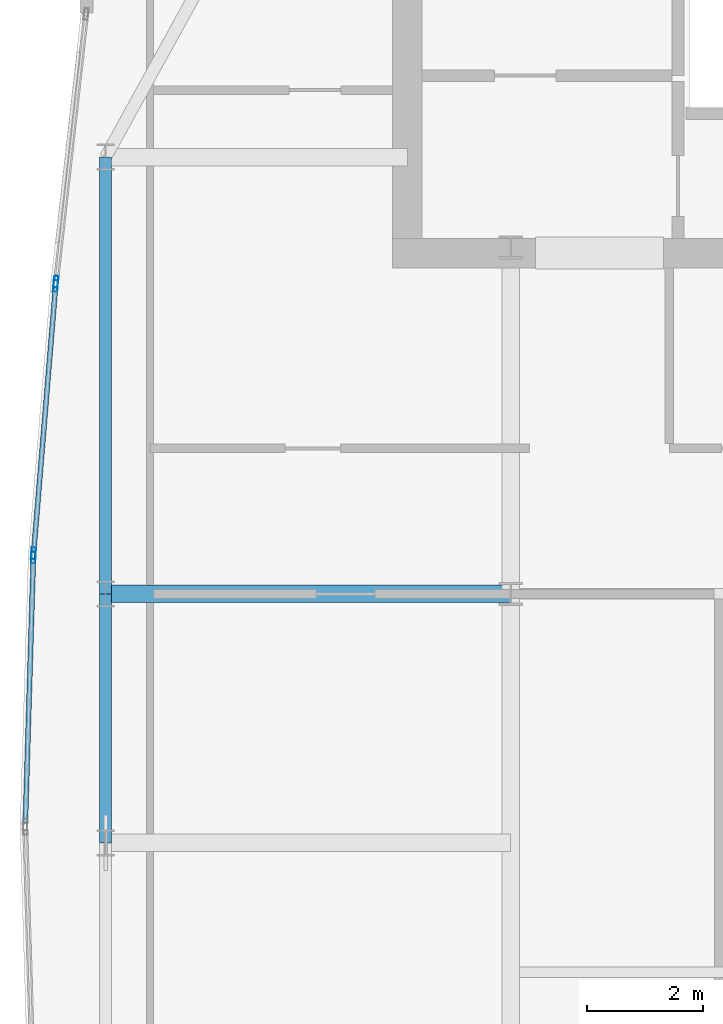
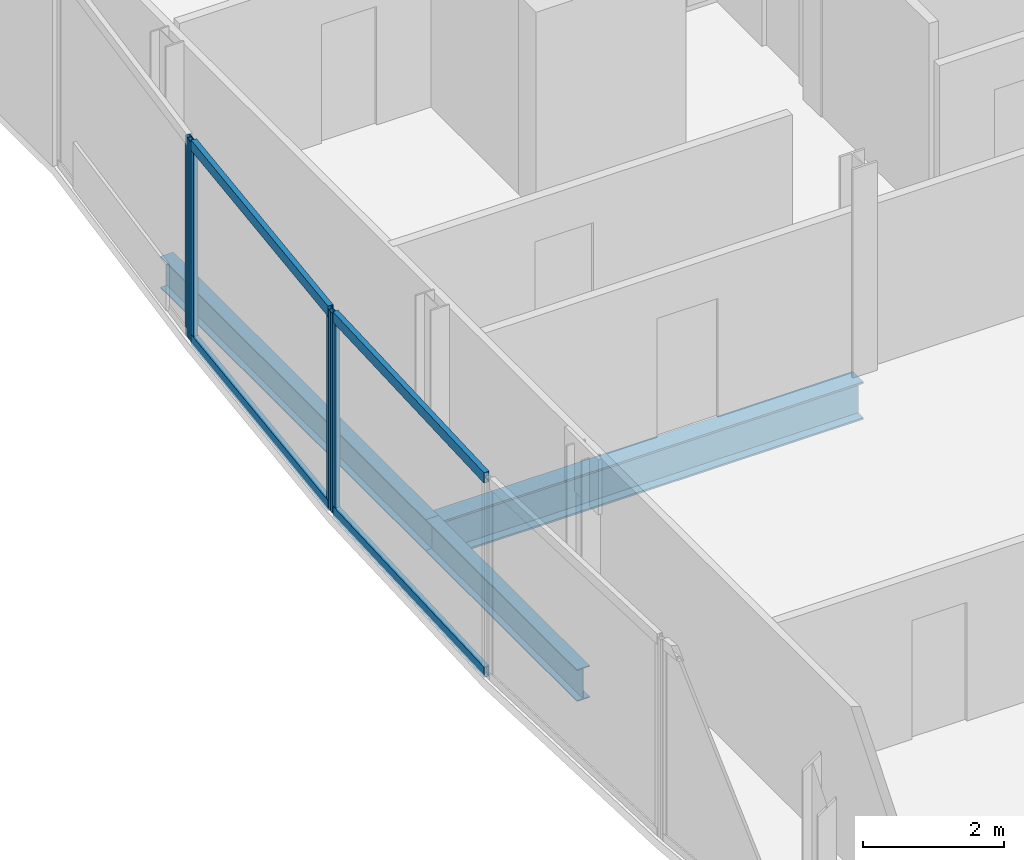
# One storey, part 9 of 25: 8 members, 3 beams, 3 elements without a shape of their own.
"""IFC4 building model written with IfcOpenShell, lengths in metres."""

from ifc_helpers import new_model, si_unit, direction, frame, origin, origin_2d, place, context, subcontext, project, spatial, hollow_rectangle, i_section, extrude, material, material_profile, profile_set, type_object, element, aggregate, save


model = new_model("IFC4")

# Units and contexts
model_context = context("Model", 3, precision=1e-05, world=origin(), true_north=direction((0.0, 1.0)))
body_context = subcontext(model_context, "Body", "Model", "MODEL_VIEW")
ifc_project = project(units=[si_unit("LENGTHUNIT", "METRE"), si_unit("AREAUNIT", "SQUARE_METRE"), si_unit("VOLUMEUNIT", "CUBIC_METRE"), si_unit("PLANEANGLEUNIT", "RADIAN"), si_unit("MASSUNIT", "GRAM", prefix="KILO")], contexts=[model_context])

# Site, building, storey
site_placement = place(None, origin())
site = spatial("IfcSite", under=ifc_project, at=site_placement, CompositionType="ELEMENT")
building_placement = place(site_placement, origin())
building = spatial("IfcBuilding", under=site, at=building_placement, Name="Khoronbel Lancet Exchange", CompositionType="ELEMENT")
storey_placement = place(building_placement, frame((0.0, 0.0, 298.60009765625)))
storey = spatial("IfcBuildingStorey", under=building, at=storey_placement, Name="L77", CompositionType="ELEMENT", Elevation=298.60009765625)

# Beams
ifc_material_1 = material(Name="Steel S355", Category="steel")
ifc_material_profile_1 = material_profile(ifc_material_1, i_section(OverallWidth=0.300048828125, OverallDepth=0.64990234375, WebThickness=0.01611328125, FlangeThickness=0.031005859375, at=origin_2d()), Name="HEB 650")
ifc_profile_set_1 = profile_set([ifc_material_profile_1], Name="Steel S355")
beam_type_1 = type_object("IfcBeamType", Name="BM-BG4", PredefinedType="BEAM", material=ifc_profile_set_1)
beam_1_placement = place(storey_placement, frame((11.27001953125, 35.699951171875, -0.485107421875), z_axis=(1.0, 0.0, 0.0), x_axis=(0.0, 1.0, 0.0)))
element("IfcBeam", 1, at=beam_1_placement, inside=storey, type_object=beam_type_1, Name="Level L77 west lens tie girder LG4W", PredefinedType="BEAM", context=body_context, shape_type="SweptSolid", body=[
    extrude(i_section(OverallWidth=0.300048828125, OverallDepth=0.64990234375, WebThickness=0.01611328125, FlangeThickness=0.031005859375, at=origin_2d()), origin(), (0.0, 0.0, 1.0), 6.955078125),
])
ifc_material_profile_2 = material_profile(ifc_material_1, i_section(OverallWidth=0.2099609375, OverallDepth=0.550048828125, WebThickness=0.010986328125, FlangeThickness=0.01708984375, at=origin_2d()), Name="IPE 550")
ifc_profile_set_2 = profile_set([ifc_material_profile_2], Name="Steel S355")
beam_type_2 = type_object("IfcBeamType", Name="BM-BSP3", PredefinedType="SPANDREL", material=ifc_profile_set_2)
beam_2_placement = place(storey_placement, frame((11.27001953125, 43.199951171875, -0.43505859375), z_axis=(0.0, -1.0, 0.0), x_axis=(1.0, 0.0, 0.0)))
element("IfcBeam", 2, at=beam_2_placement, inside=storey, type_object=beam_type_2, Name="Level L77 perimeter spandrel beam SP17", PredefinedType="SPANDREL", context=body_context, shape_type="SweptSolid", body=[
    extrude(i_section(OverallWidth=0.2099609375, OverallDepth=0.550048828125, WebThickness=0.010986328125, FlangeThickness=0.01708984375, at=origin_2d()), origin(), (0.0, 0.0, 1.0), 7.5),
])
beam_3_placement = place(storey_placement, frame((11.27001953125, 35.699951171875, -0.43505859375), z_axis=(0.0, -1.0, 0.0), x_axis=(1.0, 0.0, 0.0)))
element("IfcBeam", 3, at=beam_3_placement, inside=storey, type_object=beam_type_2, Name="Level L77 perimeter spandrel beam SP18", PredefinedType="SPANDREL", context=body_context, shape_type="SweptSolid", body=[
    extrude(i_section(OverallWidth=0.2099609375, OverallDepth=0.550048828125, WebThickness=0.010986328125, FlangeThickness=0.01708984375, at=origin_2d()), origin(), (0.0, 0.0, 1.0), 4.27490234375),
])

# Curtain wall, member
ifc_material_2 = material(Name="Low-E Solar Control Insulating Glass", Category="glass")
curtain_wall_type = type_object("IfcCurtainWallType", Name="CW-4", PredefinedType="NOTDEFINED", material=ifc_material_2)
curtain_wall_1_placement = place(storey_placement, origin())
curtain_wall_1 = element("IfcCurtainWall", 4, at=curtain_wall_1_placement, inside=storey, type_object=curtain_wall_type, Name="Unitised curtain wall CW-L77-E07", PredefinedType="NOTDEFINED")
ifc_material_3 = material(Name="Bronze-Anodised Aluminium 6063-T6", Category="aluminium")
ifc_material_profile_3 = material_profile(ifc_material_3, hollow_rectangle(XDim=0.074951171875, YDim=0.199951171875, WallThickness=0.0048828125, at=origin_2d()), Name="ALU MULLION 75x200")
ifc_profile_set_3 = profile_set([ifc_material_profile_3], Name="Bronze-Anodised Aluminium 6063-T6")
member_type_1 = type_object("IfcMemberType", Name="MEM-CWM2", PredefinedType="MULLION", material=ifc_profile_set_3)
member_1_placement = place(storey_placement, frame((10.029541015625, 36.32421875, 0.0), z_axis=(0.0, 0.0, 1.0), x_axis=(-0.999545457549, 0.030147608411, 0.0)))
member_1 = element("IfcMember", 5, at=member_1_placement, type_object=member_type_1, Name="CW4 mullion 2", PredefinedType="MULLION", context=body_context, shape_type="SweptSolid", body=[
    extrude(hollow_rectangle(XDim=0.074951171875, YDim=0.199951171875, WallThickness=0.0048828125, at=origin_2d()), origin(), (0.0, 0.0, 1.0), 3.43994140625),
])

# Curtain wall, members
curtain_wall_2_placement = place(storey_placement, origin())
curtain_wall_2 = element("IfcCurtainWall", 6, at=curtain_wall_2_placement, inside=storey, type_object=curtain_wall_type, Name="Unitised curtain wall CW-L77-E08", PredefinedType="NOTDEFINED")
member_2_placement = place(storey_placement, frame((10.03369140625, 36.39892578125, 0.0), z_axis=(0.0, 0.0, 1.0), x_axis=(-0.996626353667, 0.082072596992, 0.0)))
member_2 = element("IfcMember", 7, at=member_2_placement, type_object=member_type_1, Name="CW4 mullion 1", PredefinedType="MULLION", context=body_context, shape_type="SweptSolid", body=[
    extrude(hollow_rectangle(XDim=0.074951171875, YDim=0.199951171875, WallThickness=0.0048828125, at=origin_2d()), origin(), (0.0, 0.0, 1.0), 3.43994140625),
])
member_3_placement = place(storey_placement, frame((10.41162109375, 40.9873046875, 0.0), z_axis=(0.0, 0.0, 1.0), x_axis=(-0.996626353667, 0.082072596992, 0.0)))
member_3 = element("IfcMember", 8, at=member_3_placement, type_object=member_type_1, Name="CW4 mullion 2", PredefinedType="MULLION", context=body_context, shape_type="SweptSolid", body=[
    extrude(hollow_rectangle(XDim=0.074951171875, YDim=0.199951171875, WallThickness=0.0048828125, at=origin_2d()), origin(), (0.0, 0.0, 1.0), 3.43994140625),
])

# Curtain wall, member
curtain_wall_3_placement = place(storey_placement, origin())
curtain_wall_3 = element("IfcCurtainWall", 9, at=curtain_wall_3_placement, inside=storey, type_object=curtain_wall_type, Name="Unitised curtain wall CW-L77-E09", PredefinedType="NOTDEFINED")
member_4_placement = place(storey_placement, frame((10.418701171875, 41.061767578125, 0.0), z_axis=(0.0, 0.0, 1.0), x_axis=(-0.993731788903, 0.111790570813, 0.0)))
member_4 = element("IfcMember", 10, at=member_4_placement, type_object=member_type_1, Name="CW4 mullion 1", PredefinedType="MULLION", context=body_context, shape_type="SweptSolid", body=[
    extrude(hollow_rectangle(XDim=0.074951171875, YDim=0.199951171875, WallThickness=0.0048828125, at=origin_2d()), origin(), (0.0, 0.0, 1.0), 3.43994140625),
])
aggregate(curtain_wall_3, [member_4])

# Member
ifc_material_profile_4 = material_profile(ifc_material_3, hollow_rectangle(XDim=0.0849609375, YDim=0.179931640625, WallThickness=0.0048828125, at=origin_2d()), Name="ALU TRANSOM 85x180")
ifc_profile_set_4 = profile_set([ifc_material_profile_4], Name="Bronze-Anodised Aluminium 6063-T6")
member_type_2 = type_object("IfcMemberType", Name="MEM-CWT1", PredefinedType="USERDEFINED", material=ifc_profile_set_4)
member_5_placement = place(storey_placement, frame((9.892333984375, 31.77490234375, 0.04248046875), z_axis=(0.030127011135, 0.999546078578, 0.0), x_axis=(-0.999546078578, 0.030127011135, 0.0)))
member_5 = element("IfcMember", 11, at=member_5_placement, type_object=member_type_2, Name="CW4 transom 1.1", ObjectType="TRANSOM", PredefinedType="USERDEFINED", context=body_context, shape_type="SweptSolid", body=[
    extrude(hollow_rectangle(XDim=0.0849609375, YDim=0.179931640625, WallThickness=0.0048828125, at=origin_2d()), origin(), (0.0, 0.0, 1.0), 4.513671875),
])

member_6_placement = place(storey_placement, frame((9.892333984375, 31.77490234375, 3.3974609375), z_axis=(0.030127011135, 0.999546078578, 0.0), x_axis=(-0.999546078578, 0.030127011135, 0.0)))
member_6 = element("IfcMember", 12, at=member_6_placement, type_object=member_type_2, Name="CW4 transom 1.2", ObjectType="TRANSOM", PredefinedType="USERDEFINED", context=body_context, shape_type="SweptSolid", body=[
    extrude(hollow_rectangle(XDim=0.0849609375, YDim=0.179931640625, WallThickness=0.0048828125, at=origin_2d()), origin(), (0.0, 0.0, 1.0), 4.513671875),
])

aggregate(curtain_wall_1, [member_1, member_5, member_6])

member_7_placement = place(storey_placement, frame((10.036865234375, 36.436279296875, 0.04248046875), z_axis=(0.082046117944, 0.996628533873, 0.0), x_axis=(-0.996628533873, 0.082046117944, 0.0)))
member_7 = element("IfcMember", 13, at=member_7_placement, type_object=member_type_2, Name="CW4 transom 1.1", ObjectType="TRANSOM", PredefinedType="USERDEFINED", context=body_context, shape_type="SweptSolid", body=[
    extrude(hollow_rectangle(XDim=0.0849609375, YDim=0.179931640625, WallThickness=0.0048828125, at=origin_2d()), origin(), (0.0, 0.0, 1.0), 4.529052734375),
])

member_8_placement = place(storey_placement, frame((10.036865234375, 36.436279296875, 3.3974609375), z_axis=(0.082046117944, 0.996628533873, 0.0), x_axis=(-0.996628533873, 0.082046117944, 0.0)))
member_8 = element("IfcMember", 14, at=member_8_placement, type_object=member_type_2, Name="CW4 transom 1.2", ObjectType="TRANSOM", PredefinedType="USERDEFINED", context=body_context, shape_type="SweptSolid", body=[
    extrude(hollow_rectangle(XDim=0.0849609375, YDim=0.179931640625, WallThickness=0.0048828125, at=origin_2d()), origin(), (0.0, 0.0, 1.0), 4.529052734375),
])

aggregate(curtain_wall_2, [member_2, member_3, member_7, member_8])

save(model, "model.ifc")
